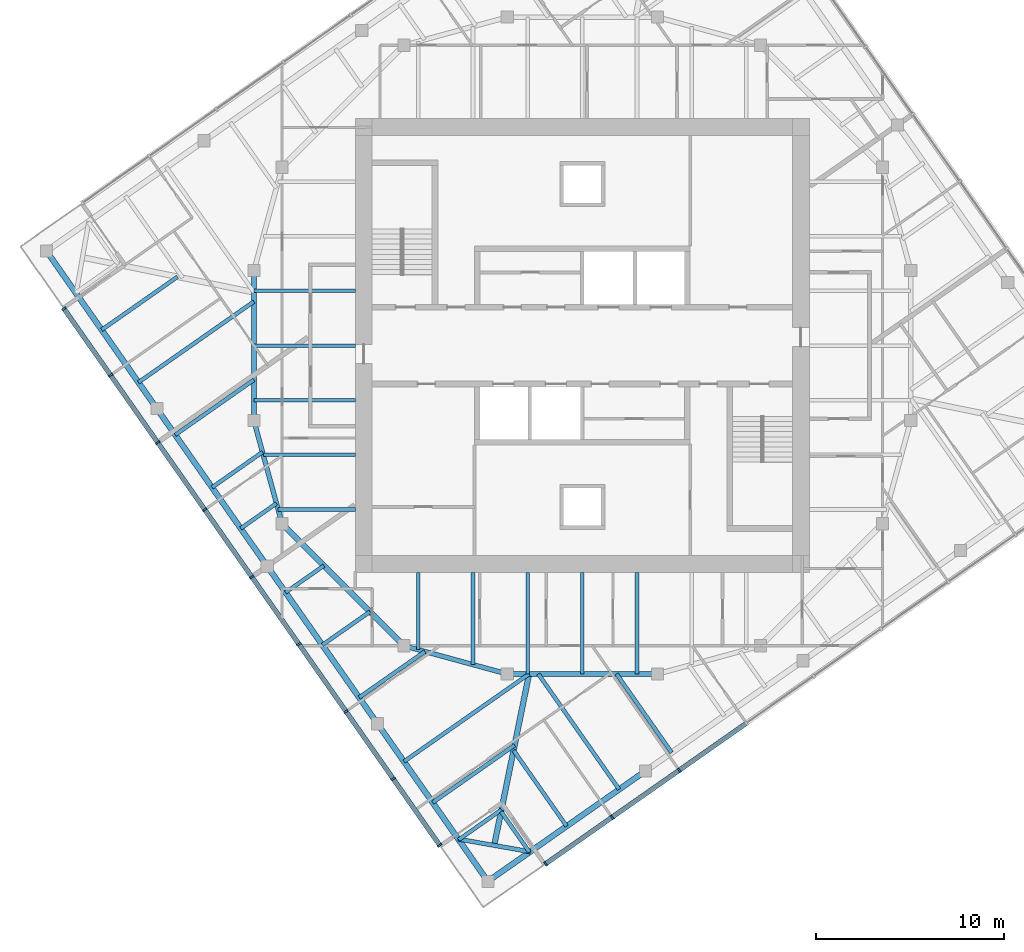
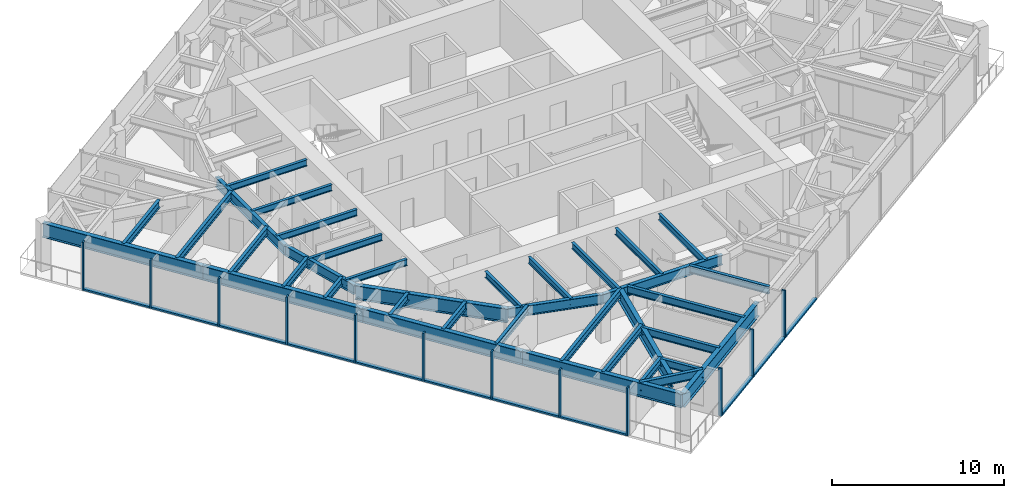
# One storey, part 2 of 12: 37 beams, 23 members, 2 elements without a shape of their own.
"""IFC4 building model written with IfcOpenShell, lengths in metres."""

import ifcopenshell
import ifcopenshell.guid

model = None  # the IFC model being written
_history = None  # IfcOwnerHistory: only IFC2X3 demands one
_inside = {}  # id of a spatial element -> (the spatial element, [elements in it])
_under = {}  # id of a project, library or spatial element -> (it, [spatial elements below it])
_declared = {}  # id of a project -> (the project, [libraries it declares])
_typed = {}  # id of a type object -> (the type object, [elements of that type])
_made_of = {}  # id of a material, layer set ... -> (it, [elements and type objects made of it])


def new_model(schema):
    """Start an empty IFC model of exactly this schema.

    Asked for "IFC4X3", IfcOpenShell would pick the latest addendum, in which some entities
    have other attributes; the version numbers below select the first issue.
    IFC2X3 requires an IfcOwnerHistory on every rooted entity: one is made here for all.
    """
    global model, _history
    if schema == "IFC4X3":
        model = ifcopenshell.file(schema_version=(4, 3, 0, 0))
    else:
        model = ifcopenshell.file(schema=schema)
    _inside.clear()
    _under.clear()
    _declared.clear()
    _typed.clear()
    _made_of.clear()
    _history = None
    if model.schema == "IFC2X3":
        org = make("IfcOrganization", Name="unknown")
        user = make(
            "IfcPersonAndOrganization",
            ThePerson=make("IfcPerson", FamilyName="unknown"),
            TheOrganization=org,
        )
        app = make(
            "IfcApplication",
            ApplicationDeveloper=org,
            Version="unknown",
            ApplicationFullName="unknown",
            ApplicationIdentifier="unknown",
        )
        _history = make(
            "IfcOwnerHistory",
            OwningUser=user,
            OwningApplication=app,
            ChangeAction="ADDED",
            CreationDate=0,
        )
    return model


def make(cls, **values):
    """One entity of the class cls with the attributes given. An attribute that is None is left unset."""
    return model.create_entity(
        cls, **{name: value for name, value in values.items() if value is not None}
    )


def rooted(cls, **values):
    """An entity with a GlobalId (a new one), such as an element, a storey or a relation."""
    return make(cls, GlobalId=ifcopenshell.guid.new(), OwnerHistory=_history, **values)


def si_unit(unit_type, name, prefix=None):
    """IfcSIUnit, for example si_unit("LENGTHUNIT", "METRE", prefix="MILLI")."""
    return make("IfcSIUnit", UnitType=unit_type, Prefix=prefix, Name=name)


def assignment(units):
    """IfcUnitAssignment: the units of a project."""
    return None if units is None else make("IfcUnitAssignment", Units=units)


def point(xyz):
    """IfcCartesianPoint."""
    return None if xyz is None else make("IfcCartesianPoint", Coordinates=xyz)


def direction(xyz):
    """IfcDirection."""
    return None if xyz is None else make("IfcDirection", DirectionRatios=xyz)


def frame(location, z_axis=None, x_axis=None):
    """IfcAxis2Placement3D, a coordinate frame: its origin and axes. An axis left out is left unset."""
    return make(
        "IfcAxis2Placement3D",
        Location=point(location),
        Axis=direction(z_axis),
        RefDirection=direction(x_axis),
    )


def frame_2d(location, x_axis=None):
    """IfcAxis2Placement2D, a coordinate frame in the plane: its origin and x axis."""
    return make(
        "IfcAxis2Placement2D", Location=point(location), RefDirection=direction(x_axis)
    )


def origin():
    """The frame at (0, 0, 0) with its axes left unset."""
    return frame((0.0, 0.0, 0.0))


def origin_2d():
    """The frame at (0, 0) in the plane with its x axis left unset."""
    return frame_2d((0.0, 0.0))


def place(relative_to, where):
    """IfcLocalPlacement: puts the frame where relative to a parent placement (None: the world)."""
    return make(
        "IfcLocalPlacement", PlacementRelTo=relative_to, RelativePlacement=where
    )


def context(
    kind, dimensions, precision=None, world=None, true_north=None, identifier=None
):
    """IfcGeometricRepresentationContext, for example the 3D "Model" context."""
    return make(
        "IfcGeometricRepresentationContext",
        ContextIdentifier=identifier,
        ContextType=kind,
        CoordinateSpaceDimension=dimensions,
        Precision=precision,
        WorldCoordinateSystem=world,
        TrueNorth=true_north,
    )


def subcontext(parent, identifier, kind, view, scale=None):
    """IfcGeometricRepresentationSubContext, for example "Body" below "Model"."""
    return make(
        "IfcGeometricRepresentationSubContext",
        ContextIdentifier=identifier,
        ContextType=kind,
        ParentContext=parent,
        TargetScale=scale,
        TargetView=view,
    )


def project(units=None, contexts=None):
    """IfcProject with its units and contexts."""
    return rooted(
        "IfcProject",
        Name="project",
        RepresentationContexts=contexts,
        UnitsInContext=assignment(units),
    )


def spatial(cls, under=None, at=None, **own):
    """A site, building, storey or space (cls), placed at a placement, below another one or the project."""
    s = rooted(cls, ObjectPlacement=at, **own)
    if under is not None:
        _under.setdefault(under.id(), (under, []))[1].append(s)
    return s


def profile(cls, at=None, kind="AREA", **sizes):
    """A parametric profile (cls). Its sizes go by their IFC names, for example OverallWidth=200.0."""
    return make(cls, ProfileType=kind, Position=at, **sizes)


def rectangle(**sizes):
    """IfcRectangleProfileDef."""
    return profile("IfcRectangleProfileDef", **sizes)


def i_section(**sizes):
    """IfcIShapeProfileDef."""
    return profile("IfcIShapeProfileDef", **sizes)


def extrude(swept, where, along, depth):
    """IfcExtrudedAreaSolid: the profile swept, set in the frame where, extruded along a direction by depth."""
    return make(
        "IfcExtrudedAreaSolid",
        SweptArea=swept,
        Position=where,
        ExtrudedDirection=direction(along),
        Depth=depth,
    )


def shape(context_of_items, identifier, shape_type, items):
    """IfcShapeRepresentation: the items that make up one representation, for example the "Body"."""
    return make(
        "IfcShapeRepresentation",
        ContextOfItems=context_of_items,
        RepresentationIdentifier=identifier,
        RepresentationType=shape_type,
        Items=items,
    )


def material(Name=None, Category=None):
    """IfcMaterial."""
    return make("IfcMaterial", Name=Name, Category=Category)


def material_profile(
    of_material, cross_section, Name=None, Category=None, Priority=None
):
    """IfcMaterialProfile: a cross section and its material."""
    return make(
        "IfcMaterialProfile",
        Name=Name,
        Material=of_material,
        Profile=cross_section,
        Priority=Priority,
        Category=Category,
    )


def profile_set(profiles, Name=None, composite=None):
    """IfcMaterialProfileSet."""
    return make(
        "IfcMaterialProfileSet",
        Name=Name,
        MaterialProfiles=profiles,
        CompositeProfile=composite,
    )


def made_of(thing, what):
    """Note that an element or type object is made of a material, layer set ...; save() writes the relation."""
    if what is not None:
        _made_of.setdefault(what.id(), (what, []))[1].append(thing)
    return thing


def type_object(cls, material=None, **own):
    """A type object (cls), such as IfcWallType, which elements share."""
    return made_of(rooted(cls, **own), material)


def element(
    cls,
    number,
    at=None,
    inside=None,
    cuts=None,
    type_object=None,
    material=None,
    context=None,
    identifier="Body",
    shape_type=None,
    held_by="IfcProductDefinitionShape",
    body=None,
    shapes=None,
    **own,
):
    """One element of the class cls, such as IfcWall. Its Tag is "e" and its number.

    at: its placement. inside: the storey or other place that contains it. cuts: it is an
    opening in that element (IfcRelVoidsElement). A single representation is given by context,
    identifier, shape_type and body (its items); several are given by shapes. held_by: the class
    of the entity that holds the representations. save() writes the other relations.
    """
    e = rooted(cls, Tag="e%d" % number, ObjectPlacement=at, **own)
    if body is not None:
        shapes = [shape(context, identifier, shape_type, body)]
    if shapes is not None:
        e.Representation = make(held_by, Representations=shapes)
    if inside is not None:
        _inside.setdefault(inside.id(), (inside, []))[1].append(e)
    if cuts is not None:
        rooted(
            "IfcRelVoidsElement", RelatingBuildingElement=cuts, RelatedOpeningElement=e
        )
    if type_object is not None:
        _typed.setdefault(type_object.id(), (type_object, []))[1].append(e)
    return made_of(e, material)


def aggregate(whole, parts):
    """IfcRelAggregates: a whole, such as a stair, and the parts it consists of."""
    return rooted("IfcRelAggregates", RelatingObject=whole, RelatedObjects=parts)


def save(model, path):
    """Write the relations noted so far, then the file.

    IfcRelAggregates (storeys below a building ...), IfcRelContainedInSpatialStructure (elements
    in a storey), IfcRelDefinesByType, IfcRelAssociatesMaterial and IfcRelDeclares: one each for
    every whole, place, type object, material and project.
    """
    for whole, parts in _under.values():
        aggregate(whole, parts)
    for where, things in _inside.values():
        rooted(
            "IfcRelContainedInSpatialStructure",
            RelatedElements=things,
            RelatingStructure=where,
        )
    for kind, things in _typed.values():
        rooted("IfcRelDefinesByType", RelatedObjects=things, RelatingType=kind)
    for what, things in _made_of.values():
        rooted("IfcRelAssociatesMaterial", RelatedObjects=things, RelatingMaterial=what)
    for by, libraries in _declared.values():
        rooted("IfcRelDeclares", RelatingContext=by, RelatedDefinitions=libraries)
    model.write(path)


model = new_model("IFC4")

# Units and contexts
model_context = context("Model", 3, precision=1e-05, world=origin(), true_north=direction((0.0, 1.0)))
body_context = subcontext(model_context, "Body", "Model", "MODEL_VIEW")
ifc_project = project(units=[si_unit("LENGTHUNIT", "METRE"), si_unit("AREAUNIT", "SQUARE_METRE"), si_unit("VOLUMEUNIT", "CUBIC_METRE"), si_unit("PLANEANGLEUNIT", "RADIAN"), si_unit("MASSUNIT", "GRAM", prefix="KILO")], contexts=[model_context])

# Site, building, storey
site_placement = place(None, origin())
site = spatial("IfcSite", under=ifc_project, at=site_placement, CompositionType="ELEMENT")
building_placement = place(site_placement, origin())
building = spatial("IfcBuilding", under=site, at=building_placement, Name="Torsade Residences", CompositionType="ELEMENT")
storey_placement = place(building_placement, frame((0.0, 0.0, 257.39990234375)))
storey = spatial("IfcBuildingStorey", under=building, at=storey_placement, Name="L71", CompositionType="ELEMENT", Elevation=257.39990234375)

# Beams
ifc_material_1 = material(Name="Steel grade 300", Category="steel")
ifc_material_profile_1 = material_profile(ifc_material_1, i_section(OverallWidth=0.300048828125, OverallDepth=0.89990234375, WebThickness=0.011962890625, FlangeThickness=0.02490234375, at=origin_2d()), Name="900WB175")
ifc_profile_set_1 = profile_set([ifc_material_profile_1], Name="Steel grade 300")
beam_type_1 = type_object("IfcBeamType", Name="CORNER GIRDER 900WB175", PredefinedType="BEAM", material=ifc_profile_set_1)
beam_1_placement = place(storey_placement, frame((35.303466796875, 3.364013671875, 2.800048828125), z_axis=(0.199584461589, 0.979880626756, 0.0), x_axis=(-0.979880626756, 0.199584461589, 0.0)))
element("IfcBeam", 1, at=beam_1_placement, inside=storey, type_object=beam_type_1, Name="Corner girder 01 L72", PredefinedType="BEAM", context=body_context, shape_type="SweptSolid", body=[
    extrude(i_section(OverallWidth=0.300048828125, OverallDepth=0.89990234375, WebThickness=0.011962890625, FlangeThickness=0.02490234375, at=origin_2d()), origin(), (0.0, 0.0, 1.0), 9.323486328125),
])
ifc_material_2 = material(Name="Steel grade 300", Category="steel")
ifc_material_profile_2 = material_profile(ifc_material_2, i_section(OverallWidth=0.22802734375, OverallDepth=0.60205078125, WebThickness=0.010498046875, FlangeThickness=0.014892578125, FilletRadius=0.013916015625, at=origin_2d()), Name="610UB101")
ifc_profile_set_2 = profile_set([ifc_material_profile_2], Name="Steel grade 300")
beam_type_2 = type_object("IfcBeamType", Name="CORNER TRIMMER 610UB101", PredefinedType="BEAM", material=ifc_profile_set_2)
beam_2_placement = place(storey_placement, frame((37.21826171875, 3.0263671875, 2.94921875), z_axis=(-0.984808196894, 0.173645660267, 0.0), x_axis=(-0.173645660267, -0.984808196894, 0.0)))
element("IfcBeam", 2, at=beam_2_placement, inside=storey, type_object=beam_type_2, Name="Corner trimmer 01 L72", PredefinedType="BEAM", context=body_context, shape_type="SweptSolid", body=[
    extrude(i_section(OverallWidth=0.22802734375, OverallDepth=0.60205078125, WebThickness=0.010498046875, FlangeThickness=0.014892578125, FilletRadius=0.013916015625, at=origin_2d()), origin(), (0.0, 0.0, 1.0), 3.888916015625),
])
ifc_material_3 = material(Name="Steel grade 300", Category="steel")
ifc_material_profile_3 = material_profile(ifc_material_3, i_section(OverallWidth=0.300048828125, OverallDepth=1.0, WebThickness=0.01611328125, FlangeThickness=0.028076171875, at=origin_2d()), Name="1000WB215")
ifc_profile_set_3 = profile_set([ifc_material_profile_3], Name="Steel grade 300")
beam_type_3 = type_object("IfcBeamType", Name="EDGE BEAM 1000WB215", PredefinedType="SPANDREL", material=ifc_profile_set_3)
for number, where, z_axis, x_axis, name in (
    (3, (34.9658203125, 1.448974609375, 2.75), (0.819150225126, 0.573579034377, 0.0), (-0.573579034377, 0.819150225126, 0.0), "Edge beam 01 L72"),
    (4, (11.448974609375, 35.0341796875, 2.75), (0.573579034377, -0.819150225126, 0.0), (0.819150225126, 0.573579034377, 0.0), "Edge beam 13 L72"),
    (5, (17.328125, 26.637939453125, 2.75), (0.573579034377, -0.819150225126, 0.0), (0.819150225126, 0.573579034377, 0.0), "Edge beam 14 L72"),
    (6, (23.207275390625, 18.24169921875, 2.75), (0.573579034377, -0.819150225126, 0.0), (0.819150225126, 0.573579034377, 0.0), "Edge beam 15 L72"),
):
    element("IfcBeam", number, at=place(storey_placement, frame(where, z_axis=z_axis, x_axis=x_axis)), inside=storey, type_object=beam_type_3, Name=name, PredefinedType="SPANDREL", context=body_context, shape_type="SweptSolid", body=[
        extrude(i_section(OverallWidth=0.300048828125, OverallDepth=1.0, WebThickness=0.01611328125, FlangeThickness=0.028076171875, at=origin_2d()), origin(), (0.0, 0.0, 1.0), 10.25),
    ])
beam_3_placement = place(storey_placement, frame((29.08642578125, 9.845458984375, 2.75), z_axis=(0.573583825578, -0.819146870247, 0.0), x_axis=(0.819146870247, 0.573583825578, 0.0)))
element("IfcBeam", 7, at=beam_3_placement, inside=storey, type_object=beam_type_3, Name="Edge beam 16 L72", PredefinedType="SPANDREL", context=body_context, shape_type="SweptSolid", body=[
    extrude(i_section(OverallWidth=0.300048828125, OverallDepth=1.0, WebThickness=0.01611328125, FlangeThickness=0.028076171875, at=origin_2d()), origin(), (0.0, 0.0, 1.0), 10.250244140625),
])

# Curtain wall, members
ifc_material_4 = material(Name="Aluminium and glass", Category="aluminium")
curtain_wall_type = type_object("IfcCurtainWallType", Name="FRITTED GLASS CURTAIN WALL HIGH ZONE", PredefinedType="NOTDEFINED", material=ifc_material_4)
curtain_wall_1_placement = place(storey_placement, origin())
curtain_wall_1 = element("IfcCurtainWall", 8, at=curtain_wall_1_placement, inside=storey, type_object=curtain_wall_type, Name="Curtain wall L71 face 1", PredefinedType="NOTDEFINED")
ifc_material_5 = material(Name="Aluminium mullion", Category="aluminium")
ifc_material_profile_4 = material_profile(ifc_material_5, rectangle(XDim=0.25, YDim=0.10009765625, at=origin_2d()), Name="HIGH ZONE CURTAIN WALL MULLION 250x100")
ifc_profile_set_4 = profile_set([ifc_material_profile_4], Name="Aluminium mullion")
member_type_1 = type_object("IfcMemberType", Name="HIGH ZONE CURTAIN WALL MULLION 250x100", PredefinedType="MULLION", material=ifc_profile_set_4)
member_1_placement = place(storey_placement, frame((38.03759765625, 2.37939453125, 0.0), z_axis=(0.0, 0.0, 1.0), x_axis=(-0.573576457682, 0.819152029353, 0.0)))
member_1 = element("IfcMember", 9, at=member_1_placement, type_object=member_type_1, Name="Mullion 1", PredefinedType="MULLION", context=body_context, shape_type="SweptSolid", body=[
    extrude(rectangle(XDim=0.25, YDim=0.10009765625, at=origin_2d()), origin(), (0.0, 0.0, 1.0), 3.400146484375),
])
member_2_placement = place(storey_placement, frame((41.58056640625, 4.860107421875, 0.0), z_axis=(0.0, 0.0, 1.0), x_axis=(-0.573576457682, 0.819152029353, 0.0)))
member_2 = element("IfcMember", 10, at=member_2_placement, type_object=member_type_1, Name="Mullion 2", PredefinedType="MULLION", context=body_context, shape_type="SweptSolid", body=[
    extrude(rectangle(XDim=0.25, YDim=0.10009765625, at=origin_2d()), origin(), (0.0, 0.0, 1.0), 3.400146484375),
])
member_3_placement = place(storey_placement, frame((45.164306640625, 7.369384765625, 0.0), z_axis=(0.0, 0.0, 1.0), x_axis=(-0.573576457682, 0.819152029353, 0.0)))
member_3 = element("IfcMember", 11, at=member_3_placement, type_object=member_type_1, Name="Mullion 3", PredefinedType="MULLION", context=body_context, shape_type="SweptSolid", body=[
    extrude(rectangle(XDim=0.25, YDim=0.10009765625, at=origin_2d()), origin(), (0.0, 0.0, 1.0), 3.400146484375),
])

curtain_wall_2_placement = place(storey_placement, origin())
curtain_wall_2 = element("IfcCurtainWall", 12, at=curtain_wall_2_placement, inside=storey, type_object=curtain_wall_type, Name="Curtain wall L71 face 10", PredefinedType="NOTDEFINED")
member_4_placement = place(storey_placement, frame((12.37939453125, 31.96240234375, 0.0), z_axis=(0.0, 0.0, 1.0), x_axis=(0.819152029353, 0.573576457682, 0.0)))
member_4 = element("IfcMember", 13, at=member_4_placement, type_object=member_type_1, Name="Mullion 1", PredefinedType="MULLION", context=body_context, shape_type="SweptSolid", body=[
    extrude(rectangle(XDim=0.25, YDim=0.10009765625, at=origin_2d()), origin(), (0.0, 0.0, 1.0), 3.400146484375),
])
member_5_placement = place(storey_placement, frame((14.860107421875, 28.41943359375, 0.0), z_axis=(0.0, 0.0, 1.0), x_axis=(0.819152029353, 0.573576457682, 0.0)))
member_5 = element("IfcMember", 14, at=member_5_placement, type_object=member_type_1, Name="Mullion 2", PredefinedType="MULLION", context=body_context, shape_type="SweptSolid", body=[
    extrude(rectangle(XDim=0.25, YDim=0.10009765625, at=origin_2d()), origin(), (0.0, 0.0, 1.0), 3.400146484375),
])
member_6_placement = place(storey_placement, frame((17.369384765625, 24.835693359375, 0.0), z_axis=(0.0, 0.0, 1.0), x_axis=(0.819152029353, 0.573576457682, 0.0)))
member_6 = element("IfcMember", 15, at=member_6_placement, type_object=member_type_1, Name="Mullion 3", PredefinedType="MULLION", context=body_context, shape_type="SweptSolid", body=[
    extrude(rectangle(XDim=0.25, YDim=0.10009765625, at=origin_2d()), origin(), (0.0, 0.0, 1.0), 3.400146484375),
])
member_7_placement = place(storey_placement, frame((19.87890625, 21.251953125, 0.0), z_axis=(0.0, 0.0, 1.0), x_axis=(0.819152029353, 0.573576457682, 0.0)))
member_7 = element("IfcMember", 16, at=member_7_placement, type_object=member_type_1, Name="Mullion 4", PredefinedType="MULLION", context=body_context, shape_type="SweptSolid", body=[
    extrude(rectangle(XDim=0.25, YDim=0.10009765625, at=origin_2d()), origin(), (0.0, 0.0, 1.0), 3.400146484375),
])
member_8_placement = place(storey_placement, frame((22.38818359375, 17.668212890625, 0.0), z_axis=(0.0, 0.0, 1.0), x_axis=(0.819152029353, 0.573576457682, 0.0)))
member_8 = element("IfcMember", 17, at=member_8_placement, type_object=member_type_1, Name="Mullion 5", PredefinedType="MULLION", context=body_context, shape_type="SweptSolid", body=[
    extrude(rectangle(XDim=0.25, YDim=0.10009765625, at=origin_2d()), origin(), (0.0, 0.0, 1.0), 3.400146484375),
])
member_9_placement = place(storey_placement, frame((24.897705078125, 14.084228515625, 0.0), z_axis=(0.0, 0.0, 1.0), x_axis=(0.819152029353, 0.573576457682, 0.0)))
member_9 = element("IfcMember", 18, at=member_9_placement, type_object=member_type_1, Name="Mullion 6", PredefinedType="MULLION", context=body_context, shape_type="SweptSolid", body=[
    extrude(rectangle(XDim=0.25, YDim=0.10009765625, at=origin_2d()), origin(), (0.0, 0.0, 1.0), 3.400146484375),
])
member_10_placement = place(storey_placement, frame((27.406982421875, 10.50048828125, 0.0), z_axis=(0.0, 0.0, 1.0), x_axis=(0.819152029353, 0.573576457682, 0.0)))
member_10 = element("IfcMember", 19, at=member_10_placement, type_object=member_type_1, Name="Mullion 7", PredefinedType="MULLION", context=body_context, shape_type="SweptSolid", body=[
    extrude(rectangle(XDim=0.25, YDim=0.10009765625, at=origin_2d()), origin(), (0.0, 0.0, 1.0), 3.400146484375),
])
member_11_placement = place(storey_placement, frame((29.91650390625, 6.916748046875, 0.0), z_axis=(0.0, 0.0, 1.0), x_axis=(0.819152029353, 0.573576457682, 0.0)))
member_11 = element("IfcMember", 20, at=member_11_placement, type_object=member_type_1, Name="Mullion 8", PredefinedType="MULLION", context=body_context, shape_type="SweptSolid", body=[
    extrude(rectangle(XDim=0.25, YDim=0.10009765625, at=origin_2d()), origin(), (0.0, 0.0, 1.0), 3.400146484375),
])
member_12_placement = place(storey_placement, frame((32.397216796875, 3.3740234375, 0.0), z_axis=(0.0, 0.0, 1.0), x_axis=(0.819152029353, 0.573576457682, 0.0)))
member_12 = element("IfcMember", 21, at=member_12_placement, type_object=member_type_1, Name="Mullion 9", PredefinedType="MULLION", context=body_context, shape_type="SweptSolid", body=[
    extrude(rectangle(XDim=0.25, YDim=0.10009765625, at=origin_2d()), origin(), (0.0, 0.0, 1.0), 3.400146484375),
])

# Member
ifc_material_6 = material(Name="Aluminium transom", Category="aluminium")
ifc_material_profile_5 = material_profile(ifc_material_6, rectangle(XDim=0.25, YDim=0.1201171875, at=origin_2d()), Name="HIGH ZONE CURTAIN WALL TRANSOM 250x120")
ifc_profile_set_5 = profile_set([ifc_material_profile_5], Name="Aluminium transom")
member_type_2 = type_object("IfcMemberType", Name="HIGH ZONE CURTAIN WALL TRANSOM 250x120", PredefinedType="USERDEFINED", material=ifc_profile_set_5)
member_13_placement = place(storey_placement, frame((38.07861328125, 2.407958984375, 0.06005859375), z_axis=(0.819155901234, 0.573570928023, 0.0), x_axis=(-0.573570928023, 0.819155901234, 0.0)))
member_13 = element("IfcMember", 22, at=member_13_placement, type_object=member_type_2, Name="Transom 1.1", ObjectType="TRANSOM", PredefinedType="USERDEFINED", context=body_context, shape_type="SweptSolid", body=[
    extrude(rectangle(XDim=0.25, YDim=0.1201171875, at=origin_2d()), origin(), (0.0, 0.0, 1.0), 4.22509765625),
])

member_14_placement = place(storey_placement, frame((41.62158203125, 4.888671875, 0.06005859375), z_axis=(0.819127269283, 0.573611817101, 0.0), x_axis=(-0.573611817101, 0.819127269283, 0.0)))
member_14 = element("IfcMember", 23, at=member_14_placement, type_object=member_type_2, Name="Transom 2.1", ObjectType="TRANSOM", PredefinedType="USERDEFINED", context=body_context, shape_type="SweptSolid", body=[
    extrude(rectangle(XDim=0.25, YDim=0.1201171875, at=origin_2d()), origin(), (0.0, 0.0, 1.0), 4.27490234375),
])

member_15_placement = place(storey_placement, frame((45.205322265625, 7.398193359375, 0.06005859375), z_axis=(0.819154102984, 0.573573496219, 0.0), x_axis=(-0.573573496219, 0.819154102984, 0.0)))
member_15 = element("IfcMember", 24, at=member_15_placement, type_object=member_type_2, Name="Transom 3.1", ObjectType="TRANSOM", PredefinedType="USERDEFINED", context=body_context, shape_type="SweptSolid", body=[
    extrude(rectangle(XDim=0.25, YDim=0.1201171875, at=origin_2d()), origin(), (0.0, 0.0, 1.0), 4.27490234375),
])

aggregate(curtain_wall_1, [member_1, member_2, member_3, member_13, member_14, member_15])

member_16_placement = place(storey_placement, frame((12.407958984375, 31.92138671875, 0.06005859375), z_axis=(0.573570928023, -0.819155901234, 0.0), x_axis=(0.819155901234, 0.573570928023, 0.0)))
member_16 = element("IfcMember", 25, at=member_16_placement, type_object=member_type_2, Name="Transom 1.1", ObjectType="TRANSOM", PredefinedType="USERDEFINED", context=body_context, shape_type="SweptSolid", body=[
    extrude(rectangle(XDim=0.25, YDim=0.1201171875, at=origin_2d()), origin(), (0.0, 0.0, 1.0), 4.22509765625),
])

member_17_placement = place(storey_placement, frame((14.888671875, 28.37841796875, 0.06005859375), z_axis=(0.573611817101, -0.819127269283, 0.0), x_axis=(0.819127269283, 0.573611817101, 0.0)))
member_17 = element("IfcMember", 26, at=member_17_placement, type_object=member_type_2, Name="Transom 2.1", ObjectType="TRANSOM", PredefinedType="USERDEFINED", context=body_context, shape_type="SweptSolid", body=[
    extrude(rectangle(XDim=0.25, YDim=0.1201171875, at=origin_2d()), origin(), (0.0, 0.0, 1.0), 4.27490234375),
])

member_18_placement = place(storey_placement, frame((17.398193359375, 24.794677734375, 0.06005859375), z_axis=(0.573573496219, -0.819154102984, 0.0), x_axis=(0.819154102984, 0.573573496219, 0.0)))
member_18 = element("IfcMember", 27, at=member_18_placement, type_object=member_type_2, Name="Transom 3.1", ObjectType="TRANSOM", PredefinedType="USERDEFINED", context=body_context, shape_type="SweptSolid", body=[
    extrude(rectangle(XDim=0.25, YDim=0.1201171875, at=origin_2d()), origin(), (0.0, 0.0, 1.0), 4.27490234375),
])

member_19_placement = place(storey_placement, frame((19.907470703125, 21.2109375, 0.06005859375), z_axis=(0.57358498433, -0.819146058863, 0.0), x_axis=(0.819146058863, 0.57358498433, 0.0)))
member_19 = element("IfcMember", 28, at=member_19_placement, type_object=member_type_2, Name="Transom 4.1", ObjectType="TRANSOM", PredefinedType="USERDEFINED", context=body_context, shape_type="SweptSolid", body=[
    extrude(rectangle(XDim=0.25, YDim=0.1201171875, at=origin_2d()), origin(), (0.0, 0.0, 1.0), 4.275146484375),
])

member_20_placement = place(storey_placement, frame((22.4169921875, 17.627197265625, 0.06005859375), z_axis=(0.573546663483, -0.81917289067, 0.0), x_axis=(0.81917289067, 0.573546663483, 0.0)))
member_20 = element("IfcMember", 29, at=member_20_placement, type_object=member_type_2, Name="Transom 5.1", ObjectType="TRANSOM", PredefinedType="USERDEFINED", context=body_context, shape_type="SweptSolid", body=[
    extrude(rectangle(XDim=0.25, YDim=0.1201171875, at=origin_2d()), origin(), (0.0, 0.0, 1.0), 4.27490234375),
])

member_21_placement = place(storey_placement, frame((24.92626953125, 14.04345703125, 0.06005859375), z_axis=(0.57358498433, -0.819146058863, 0.0), x_axis=(0.819146058863, 0.57358498433, 0.0)))
member_21 = element("IfcMember", 30, at=member_21_placement, type_object=member_type_2, Name="Transom 6.1", ObjectType="TRANSOM", PredefinedType="USERDEFINED", context=body_context, shape_type="SweptSolid", body=[
    extrude(rectangle(XDim=0.25, YDim=0.1201171875, at=origin_2d()), origin(), (0.0, 0.0, 1.0), 4.275146484375),
])

member_22_placement = place(storey_placement, frame((27.435791015625, 10.45947265625, 0.06005859375), z_axis=(0.573573496219, -0.819154102984, 0.0), x_axis=(0.819154102984, 0.573573496219, 0.0)))
member_22 = element("IfcMember", 31, at=member_22_placement, type_object=member_type_2, Name="Transom 7.1", ObjectType="TRANSOM", PredefinedType="USERDEFINED", context=body_context, shape_type="SweptSolid", body=[
    extrude(rectangle(XDim=0.25, YDim=0.1201171875, at=origin_2d()), origin(), (0.0, 0.0, 1.0), 4.27490234375),
])

member_23_placement = place(storey_placement, frame((29.945068359375, 6.875732421875, 0.06005859375), z_axis=(0.573570928023, -0.819155901234, 0.0), x_axis=(0.819155901234, 0.573570928023, 0.0)))
member_23 = element("IfcMember", 32, at=member_23_placement, type_object=member_type_2, Name="Transom 8.1", ObjectType="TRANSOM", PredefinedType="USERDEFINED", context=body_context, shape_type="SweptSolid", body=[
    extrude(rectangle(XDim=0.25, YDim=0.1201171875, at=origin_2d()), origin(), (0.0, 0.0, 1.0), 4.22509765625),
])

aggregate(curtain_wall_2, [member_4, member_5, member_6, member_7, member_8, member_9, member_10, member_11, member_12, member_16, member_17, member_18, member_19, member_20, member_21, member_22, member_23])

# Beams
ifc_material_7 = material(Name="Steel grade 300", Category="steel")
ifc_material_profile_6 = material_profile(ifc_material_7, i_section(OverallWidth=0.18994140625, OverallDepth=0.4541015625, WebThickness=0.008544921875, FlangeThickness=0.0126953125, FilletRadius=0.011474609375, at=origin_2d()), Name="460UB67.1")
ifc_profile_set_6 = profile_set([ifc_material_profile_6], Name="Steel grade 300")
beam_type_4 = type_object("IfcBeamType", Name="INNER FLOOR BEAM 460UB67.1", PredefinedType="JOIST", material=ifc_profile_set_6)
for number, where, z_axis, x_axis, name in (
    (33, (42.91259765625, 17.89990234375, 3.023193359375), (0.0, -1.0, 0.0), (1.0, 0.0, 0.0), "Inner floor beam IS03 L72"),
    (34, (40.0, 17.89990234375, 3.023193359375), (0.0, -1.0, 0.0), (1.0, 0.0, 0.0), "Inner floor beam IS04 L72"),
    (35, (37.08740234375, 17.89990234375, 3.023193359375), (0.0, -1.0, 0.0), (1.0, 0.0, 0.0), "Inner floor beam IS05 L72"),
):
    element("IfcBeam", number, at=place(storey_placement, frame(where, z_axis=z_axis, x_axis=x_axis)), inside=storey, type_object=beam_type_4, Name=name, PredefinedType="JOIST", context=body_context, shape_type="SweptSolid", body=[
        extrude(i_section(OverallWidth=0.18994140625, OverallDepth=0.4541015625, WebThickness=0.008544921875, FlangeThickness=0.0126953125, FilletRadius=0.011474609375, at=origin_2d()), origin(), (0.0, 0.0, 1.0), 5.39990234375),
    ])
beam_4_placement = place(storey_placement, frame((34.175048828125, 17.89990234375, 3.023193359375), z_axis=(0.0, -1.0, 0.0), x_axis=(1.0, 0.0, 0.0)))
element("IfcBeam", 36, at=beam_4_placement, inside=storey, type_object=beam_type_4, Name="Inner floor beam IS06 L72", PredefinedType="JOIST", context=body_context, shape_type="SweptSolid", body=[
    extrude(i_section(OverallWidth=0.18994140625, OverallDepth=0.4541015625, WebThickness=0.008544921875, FlangeThickness=0.0126953125, FilletRadius=0.011474609375, at=origin_2d()), origin(), (0.0, 0.0, 1.0), 4.902099609375),
])
beam_5_placement = place(storey_placement, frame((31.262451171875, 17.89990234375, 3.023193359375), z_axis=(0.0, -1.0, 0.0), x_axis=(1.0, 0.0, 0.0)))
element("IfcBeam", 37, at=beam_5_placement, inside=storey, type_object=beam_type_4, Name="Inner floor beam IS07 L72", PredefinedType="JOIST", context=body_context, shape_type="SweptSolid", body=[
    extrude(i_section(OverallWidth=0.18994140625, OverallDepth=0.4541015625, WebThickness=0.008544921875, FlangeThickness=0.0126953125, FilletRadius=0.011474609375, at=origin_2d()), origin(), (0.0, 0.0, 1.0), 4.10791015625),
])
for number, where, z_axis, x_axis, name in (
    (38, (27.89990234375, 32.91259765625, 3.023193359375), (-1.0, 0.0, 0.0), (0.0, -1.0, 0.0), "Inner floor beam IW03 L72"),
    (39, (27.89990234375, 30.0, 3.023193359375), (-1.0, 0.0, 0.0), (0.0, -1.0, 0.0), "Inner floor beam IW04 L72"),
    (40, (27.89990234375, 27.08740234375, 3.023193359375), (-1.0, 0.0, 0.0), (0.0, -1.0, 0.0), "Inner floor beam IW05 L72"),
):
    element("IfcBeam", number, at=place(storey_placement, frame(where, z_axis=z_axis, x_axis=x_axis)), inside=storey, type_object=beam_type_4, Name=name, PredefinedType="JOIST", context=body_context, shape_type="SweptSolid", body=[
        extrude(i_section(OverallWidth=0.18994140625, OverallDepth=0.4541015625, WebThickness=0.008544921875, FlangeThickness=0.0126953125, FilletRadius=0.011474609375, at=origin_2d()), origin(), (0.0, 0.0, 1.0), 5.39990234375),
    ])
beam_6_placement = place(storey_placement, frame((27.89990234375, 24.175048828125, 3.023193359375), z_axis=(-1.0, 0.0, 0.0), x_axis=(0.0, -1.0, 0.0)))
element("IfcBeam", 41, at=beam_6_placement, inside=storey, type_object=beam_type_4, Name="Inner floor beam IW06 L72", PredefinedType="JOIST", context=body_context, shape_type="SweptSolid", body=[
    extrude(i_section(OverallWidth=0.18994140625, OverallDepth=0.4541015625, WebThickness=0.008544921875, FlangeThickness=0.0126953125, FilletRadius=0.011474609375, at=origin_2d()), origin(), (0.0, 0.0, 1.0), 4.902099609375),
])
beam_7_placement = place(storey_placement, frame((27.89990234375, 21.262451171875, 3.023193359375), z_axis=(-1.0, 0.0, 0.0), x_axis=(0.0, -1.0, 0.0)))
element("IfcBeam", 42, at=beam_7_placement, inside=storey, type_object=beam_type_4, Name="Inner floor beam IW07 L72", PredefinedType="JOIST", context=body_context, shape_type="SweptSolid", body=[
    extrude(i_section(OverallWidth=0.18994140625, OverallDepth=0.4541015625, WebThickness=0.008544921875, FlangeThickness=0.0126953125, FilletRadius=0.011474609375, at=origin_2d()), origin(), (0.0, 0.0, 1.0), 4.10791015625),
])
ifc_material_8 = material(Name="Steel grade 300", Category="steel")
ifc_material_profile_7 = material_profile(ifc_material_8, i_section(OverallWidth=0.300048828125, OverallDepth=1.0, WebThickness=0.01611328125, FlangeThickness=0.028076171875, at=origin_2d()), Name="1000WB215")
ifc_profile_set_7 = profile_set([ifc_material_profile_7], Name="Steel grade 300")
beam_type_5 = type_object("IfcBeamType", Name="RING CORNER GIRDER 1000WB215", PredefinedType="BEAM", material=ifc_profile_set_7)
beam_8_placement = place(storey_placement, frame((24.0, 20.5, 2.75), z_axis=(0.707106781187, -0.707106781187, 0.0), x_axis=(0.707106781187, 0.707106781187, 0.0)))
element("IfcBeam", 43, at=beam_8_placement, inside=storey, type_object=beam_type_5, Name="Ring girder IR11 L72", PredefinedType="BEAM", context=body_context, shape_type="SweptSolid", body=[
    extrude(i_section(OverallWidth=0.300048828125, OverallDepth=1.0, WebThickness=0.01611328125, FlangeThickness=0.028076171875, at=origin_2d()), origin(), (0.0, 0.0, 1.0), 9.1923828125),
])
ifc_material_9 = material(Name="Steel grade 300", Category="steel")
ifc_material_profile_8 = material_profile(ifc_material_9, i_section(OverallWidth=0.25, OverallDepth=0.699951171875, WebThickness=0.010009765625, FlangeThickness=0.02001953125, at=origin_2d()), Name="700WB130")
ifc_profile_set_8 = profile_set([ifc_material_profile_8], Name="Steel grade 300")
beam_type_6 = type_object("IfcBeamType", Name="RING GIRDER 700WB130", PredefinedType="BEAM", material=ifc_profile_set_8)
beam_9_placement = place(storey_placement, frame((22.5, 34.0, 2.900146484375), z_axis=(0.0, -1.0, 0.0), x_axis=(1.0, 0.0, 0.0)))
element("IfcBeam", 44, at=beam_9_placement, inside=storey, type_object=beam_type_6, Name="Ring girder IR09 L72", PredefinedType="BEAM", context=body_context, shape_type="SweptSolid", body=[
    extrude(i_section(OverallWidth=0.25, OverallDepth=0.699951171875, WebThickness=0.010009765625, FlangeThickness=0.02001953125, at=origin_2d()), origin(), (0.0, 0.0, 1.0), 8.0),
])
for number, where, z_axis, x_axis, name in (
    (45, (22.5, 26.0, 2.900146484375), (0.263117405792, -0.964763821238, 0.0), (0.964763821238, 0.263117405792, 0.0), "Ring girder IR10 L72"),
    (46, (30.5, 14.0, 2.900146484375), (0.964763821238, -0.263117405792, 0.0), (0.263117405792, 0.964763821238, 0.0), "Ring girder IR12 L72"),
):
    element("IfcBeam", number, at=place(storey_placement, frame(where, z_axis=z_axis, x_axis=x_axis)), inside=storey, type_object=beam_type_6, Name=name, PredefinedType="BEAM", context=body_context, shape_type="SweptSolid", body=[
        extrude(i_section(OverallWidth=0.25, OverallDepth=0.699951171875, WebThickness=0.010009765625, FlangeThickness=0.02001953125, at=origin_2d()), origin(), (0.0, 0.0, 1.0), 5.700927734375),
    ])
beam_10_placement = place(storey_placement, frame((36.0, 12.5, 2.900146484375), z_axis=(1.0, 0.0, 0.0), x_axis=(0.0, 1.0, 0.0)))
element("IfcBeam", 47, at=beam_10_placement, inside=storey, type_object=beam_type_6, Name="Ring girder IR13 L72", PredefinedType="BEAM", context=body_context, shape_type="SweptSolid", body=[
    extrude(i_section(OverallWidth=0.25, OverallDepth=0.699951171875, WebThickness=0.010009765625, FlangeThickness=0.02001953125, at=origin_2d()), origin(), (0.0, 0.0, 1.0), 8.0),
])
ifc_material_10 = material(Name="Steel grade 300", Category="steel")
ifc_material_profile_9 = material_profile(ifc_material_10, i_section(OverallWidth=0.208984375, OverallDepth=0.532958984375, WebThickness=0.01025390625, FlangeThickness=0.015625, FilletRadius=0.013916015625, at=origin_2d()), Name="530UB92.4")
ifc_profile_set_9 = profile_set([ifc_material_profile_9], Name="Steel grade 300")
beam_type_7 = type_object("IfcBeamType", Name="SECONDARY BEAM 530UB92.4", PredefinedType="JOIST", material=ifc_profile_set_9)
beam_11_placement = place(storey_placement, frame((37.184326171875, 3.00244140625, 2.983642578125), z_axis=(-0.573592685254, 0.819140666445, 0.0), x_axis=(-0.819140666445, -0.573592685254, 0.0)))
element("IfcBeam", 48, at=beam_11_placement, inside=storey, type_object=beam_type_7, Name="Floor beam FS01 L72", PredefinedType="JOIST", context=body_context, shape_type="SweptSolid", body=[
    extrude(i_section(OverallWidth=0.208984375, OverallDepth=0.532958984375, WebThickness=0.01025390625, FlangeThickness=0.015625, FilletRadius=0.013916015625, at=origin_2d()), origin(), (0.0, 0.0, 1.0), 2.639892578125),
])
beam_12_placement = place(storey_placement, frame((39.163818359375, 4.388671875, 2.983642578125), z_axis=(-0.573575295634, 0.819152843027, 0.0), x_axis=(-0.819152843027, -0.573575295634, 0.0)))
element("IfcBeam", 49, at=beam_12_placement, inside=storey, type_object=beam_type_7, Name="Floor beam FS02 L72", PredefinedType="JOIST", context=body_context, shape_type="SweptSolid", body=[
    extrude(i_section(OverallWidth=0.208984375, OverallDepth=0.532958984375, WebThickness=0.01025390625, FlangeThickness=0.015625, FilletRadius=0.013916015625, at=origin_2d()), origin(), (0.0, 0.0, 1.0), 4.931884765625),
])
beam_13_placement = place(storey_placement, frame((41.962646484375, 6.348388671875, 2.983642578125), z_axis=(-0.573573614851, 0.819154019917, 0.0), x_axis=(-0.819154019917, -0.573573614851, 0.0)))
element("IfcBeam", 50, at=beam_13_placement, inside=storey, type_object=beam_type_7, Name="Floor beam FS03 L72", PredefinedType="JOIST", context=body_context, shape_type="SweptSolid", body=[
    extrude(i_section(OverallWidth=0.208984375, OverallDepth=0.532958984375, WebThickness=0.01025390625, FlangeThickness=0.015625, FilletRadius=0.013916015625, at=origin_2d()), origin(), (0.0, 0.0, 1.0), 7.509765625),
])
beam_14_placement = place(storey_placement, frame((44.761474609375, 8.30810546875, 2.983642578125), z_axis=(-0.573590411882, 0.819142258339, 0.0), x_axis=(-0.819142258339, -0.573590411882, 0.0)))
element("IfcBeam", 51, at=beam_14_placement, inside=storey, type_object=beam_type_7, Name="Floor beam FS04 L72", PredefinedType="JOIST", context=body_context, shape_type="SweptSolid", body=[
    extrude(i_section(OverallWidth=0.208984375, OverallDepth=0.532958984375, WebThickness=0.01025390625, FlangeThickness=0.015625, FilletRadius=0.013916015625, at=origin_2d()), origin(), (0.0, 0.0, 1.0), 5.117431640625),
])
beam_15_placement = place(storey_placement, frame((14.388671875, 30.836181640625, 2.983642578125), z_axis=(0.819152843027, 0.573575295634, 0.0), x_axis=(-0.573575295634, 0.819152843027, 0.0)))
element("IfcBeam", 52, at=beam_15_placement, inside=storey, type_object=beam_type_7, Name="Floor beam FW02 L72", PredefinedType="JOIST", context=body_context, shape_type="SweptSolid", body=[
    extrude(i_section(OverallWidth=0.208984375, OverallDepth=0.532958984375, WebThickness=0.01025390625, FlangeThickness=0.015625, FilletRadius=0.013916015625, at=origin_2d()), origin(), (0.0, 0.0, 1.0), 4.931884765625),
])
beam_16_placement = place(storey_placement, frame((16.348388671875, 28.037353515625, 2.983642578125), z_axis=(0.819154019917, 0.573573614851, 0.0), x_axis=(-0.573573614851, 0.819154019917, 0.0)))
element("IfcBeam", 53, at=beam_16_placement, inside=storey, type_object=beam_type_7, Name="Floor beam FW03 L72", PredefinedType="JOIST", context=body_context, shape_type="SweptSolid", body=[
    extrude(i_section(OverallWidth=0.208984375, OverallDepth=0.532958984375, WebThickness=0.01025390625, FlangeThickness=0.015625, FilletRadius=0.013916015625, at=origin_2d()), origin(), (0.0, 0.0, 1.0), 7.509765625),
])
beam_17_placement = place(storey_placement, frame((18.30810546875, 25.238525390625, 2.983642578125), z_axis=(0.819142258339, 0.573590411882, 0.0), x_axis=(-0.573590411882, 0.819142258339, 0.0)))
element("IfcBeam", 54, at=beam_17_placement, inside=storey, type_object=beam_type_7, Name="Floor beam FW04 L72", PredefinedType="JOIST", context=body_context, shape_type="SweptSolid", body=[
    extrude(i_section(OverallWidth=0.208984375, OverallDepth=0.532958984375, WebThickness=0.01025390625, FlangeThickness=0.015625, FilletRadius=0.013916015625, at=origin_2d()), origin(), (0.0, 0.0, 1.0), 5.117431640625),
])
beam_18_placement = place(storey_placement, frame((20.267822265625, 22.43994140625, 2.983642578125), z_axis=(0.819169032504, 0.573552173902, 0.0), x_axis=(-0.573552173902, 0.819169032504, 0.0)))
element("IfcBeam", 55, at=beam_18_placement, inside=storey, type_object=beam_type_7, Name="Floor beam FW05 L72", PredefinedType="JOIST", context=body_context, shape_type="SweptSolid", body=[
    extrude(i_section(OverallWidth=0.208984375, OverallDepth=0.532958984375, WebThickness=0.01025390625, FlangeThickness=0.015625, FilletRadius=0.013916015625, at=origin_2d()), origin(), (0.0, 0.0, 1.0), 3.283203125),
])
beam_19_placement = place(storey_placement, frame((21.79736328125, 20.25537109375, 2.983642578125), z_axis=(0.819157953557, 0.573567996949, 0.0), x_axis=(-0.573567996949, 0.819157953557, 0.0)))
element("IfcBeam", 56, at=beam_19_placement, inside=storey, type_object=beam_type_7, Name="Floor beam FW06 L72", PredefinedType="JOIST", context=body_context, shape_type="SweptSolid", body=[
    extrude(i_section(OverallWidth=0.208984375, OverallDepth=0.532958984375, WebThickness=0.01025390625, FlangeThickness=0.015625, FilletRadius=0.013916015625, at=origin_2d()), origin(), (0.0, 0.0, 1.0), 2.326171875),
])
beam_20_placement = place(storey_placement, frame((24.187255859375, 16.84228515625, 2.983642578125), z_axis=(0.819172078752, 0.573547823109, 0.0), x_axis=(-0.573547823109, 0.819172078752, 0.0)))
element("IfcBeam", 57, at=beam_20_placement, inside=storey, type_object=beam_type_7, Name="Floor beam FW07 L72", PredefinedType="JOIST", context=body_context, shape_type="SweptSolid", body=[
    extrude(i_section(OverallWidth=0.208984375, OverallDepth=0.532958984375, WebThickness=0.01025390625, FlangeThickness=0.015625, FilletRadius=0.013916015625, at=origin_2d()), origin(), (0.0, 0.0, 1.0), 2.491943359375),
])
beam_21_placement = place(storey_placement, frame((26.14697265625, 14.04345703125, 2.983642578125), z_axis=(0.819135534955, 0.573600013401, 0.0), x_axis=(-0.573600013401, 0.819135534955, 0.0)))
element("IfcBeam", 58, at=beam_21_placement, inside=storey, type_object=beam_type_7, Name="Floor beam FW08 L72", PredefinedType="JOIST", context=body_context, shape_type="SweptSolid", body=[
    extrude(i_section(OverallWidth=0.208984375, OverallDepth=0.532958984375, WebThickness=0.01025390625, FlangeThickness=0.015625, FilletRadius=0.013916015625, at=origin_2d()), origin(), (0.0, 0.0, 1.0), 3.09423828125),
])
beam_22_placement = place(storey_placement, frame((28.106689453125, 11.244873046875, 2.983642578125), z_axis=(0.819148759439, 0.573581127575, 0.0), x_axis=(-0.573581127575, 0.819148759439, 0.0)))
element("IfcBeam", 59, at=beam_22_placement, inside=storey, type_object=beam_type_7, Name="Floor beam FW09 L72", PredefinedType="JOIST", context=body_context, shape_type="SweptSolid", body=[
    extrude(i_section(OverallWidth=0.208984375, OverallDepth=0.532958984375, WebThickness=0.01025390625, FlangeThickness=0.015625, FilletRadius=0.013916015625, at=origin_2d()), origin(), (0.0, 0.0, 1.0), 4.276123046875),
])
beam_23_placement = place(storey_placement, frame((30.49658203125, 7.83154296875, 2.983642578125), z_axis=(0.819151588523, 0.573577087251, 0.0), x_axis=(-0.573577087251, 0.819151588523, 0.0)))
element("IfcBeam", 60, at=beam_23_placement, inside=storey, type_object=beam_type_7, Name="Floor beam FW10 L72", PredefinedType="JOIST", context=body_context, shape_type="SweptSolid", body=[
    extrude(i_section(OverallWidth=0.208984375, OverallDepth=0.532958984375, WebThickness=0.01025390625, FlangeThickness=0.015625, FilletRadius=0.013916015625, at=origin_2d()), origin(), (0.0, 0.0, 1.0), 8.13916015625),
])
beam_24_placement = place(storey_placement, frame((32.026123046875, 5.647216796875, 2.983642578125), z_axis=(0.819137197966, 0.573597638513, 0.0), x_axis=(-0.573597638513, 0.819137197966, 0.0)))
element("IfcBeam", 61, at=beam_24_placement, inside=storey, type_object=beam_type_7, Name="Floor beam FW11 L72", PredefinedType="JOIST", context=body_context, shape_type="SweptSolid", body=[
    extrude(i_section(OverallWidth=0.208984375, OverallDepth=0.532958984375, WebThickness=0.01025390625, FlangeThickness=0.015625, FilletRadius=0.013916015625, at=origin_2d()), origin(), (0.0, 0.0, 1.0), 5.328369140625),
])
beam_25_placement = place(storey_placement, frame((33.412353515625, 3.667724609375, 2.983642578125), z_axis=(0.819190669238, 0.573521270253, 0.0), x_axis=(-0.573521270253, 0.819190669238, 0.0)))
element("IfcBeam", 62, at=beam_25_placement, inside=storey, type_object=beam_type_7, Name="Floor beam FW12 L72", PredefinedType="JOIST", context=body_context, shape_type="SweptSolid", body=[
    extrude(i_section(OverallWidth=0.208984375, OverallDepth=0.532958984375, WebThickness=0.01025390625, FlangeThickness=0.015625, FilletRadius=0.013916015625, at=origin_2d()), origin(), (0.0, 0.0, 1.0), 2.780517578125),
])

save(model, "model.ifc")
